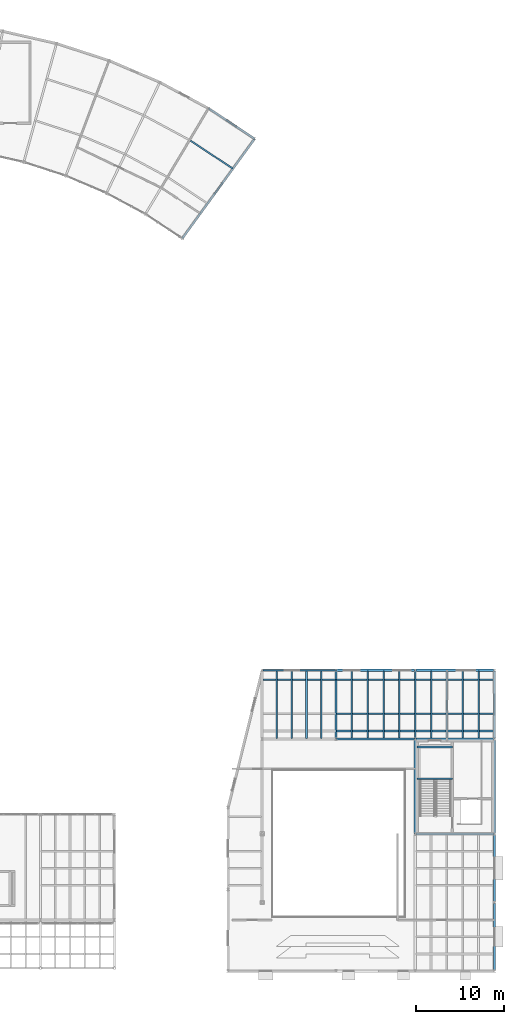
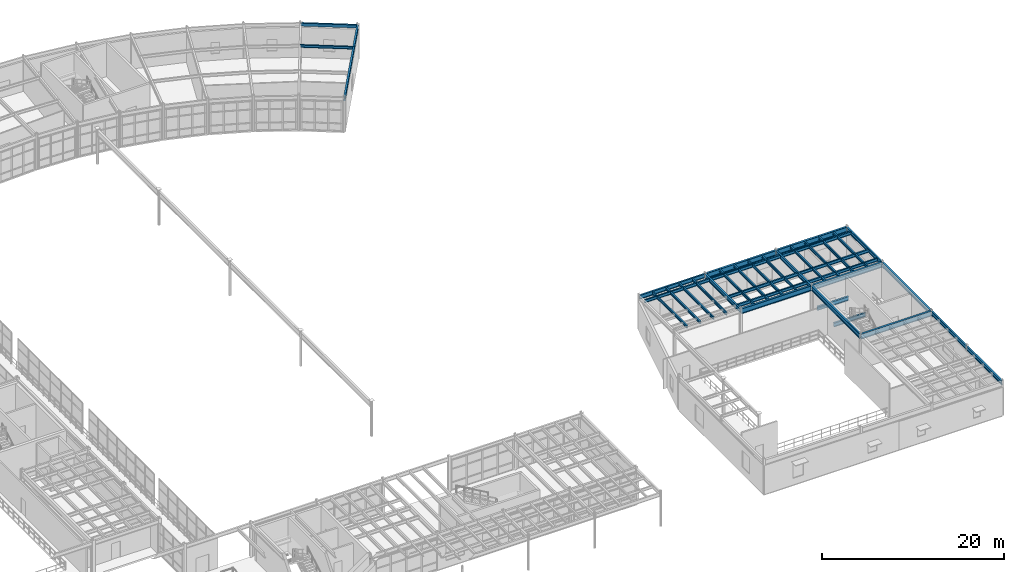
# One storey, part 79 of 116: 37 beams.
"""IFC4 building model written with IfcOpenShell, lengths in metres."""

import ifcopenshell
import ifcopenshell.guid

model = None  # the IFC model being written
_history = None  # IfcOwnerHistory: only IFC2X3 demands one
_inside = {}  # id of a spatial element -> (the spatial element, [elements in it])
_under = {}  # id of a project, library or spatial element -> (it, [spatial elements below it])
_declared = {}  # id of a project -> (the project, [libraries it declares])
_typed = {}  # id of a type object -> (the type object, [elements of that type])
_made_of = {}  # id of a material, layer set ... -> (it, [elements and type objects made of it])


def new_model(schema):
    """Start an empty IFC model of exactly this schema.

    Asked for "IFC4X3", IfcOpenShell would pick the latest addendum, in which some entities
    have other attributes; the version numbers below select the first issue.
    IFC2X3 requires an IfcOwnerHistory on every rooted entity: one is made here for all.
    """
    global model, _history
    if schema == "IFC4X3":
        model = ifcopenshell.file(schema_version=(4, 3, 0, 0))
    else:
        model = ifcopenshell.file(schema=schema)
    _inside.clear()
    _under.clear()
    _declared.clear()
    _typed.clear()
    _made_of.clear()
    _history = None
    if model.schema == "IFC2X3":
        org = make("IfcOrganization", Name="unknown")
        user = make(
            "IfcPersonAndOrganization",
            ThePerson=make("IfcPerson", FamilyName="unknown"),
            TheOrganization=org,
        )
        app = make(
            "IfcApplication",
            ApplicationDeveloper=org,
            Version="unknown",
            ApplicationFullName="unknown",
            ApplicationIdentifier="unknown",
        )
        _history = make(
            "IfcOwnerHistory",
            OwningUser=user,
            OwningApplication=app,
            ChangeAction="ADDED",
            CreationDate=0,
        )
    return model


def make(cls, **values):
    """One entity of the class cls with the attributes given. An attribute that is None is left unset."""
    return model.create_entity(
        cls, **{name: value for name, value in values.items() if value is not None}
    )


def rooted(cls, **values):
    """An entity with a GlobalId (a new one), such as an element, a storey or a relation."""
    return make(cls, GlobalId=ifcopenshell.guid.new(), OwnerHistory=_history, **values)


def si_unit(unit_type, name, prefix=None):
    """IfcSIUnit, for example si_unit("LENGTHUNIT", "METRE", prefix="MILLI")."""
    return make("IfcSIUnit", UnitType=unit_type, Prefix=prefix, Name=name)


def assignment(units):
    """IfcUnitAssignment: the units of a project."""
    return None if units is None else make("IfcUnitAssignment", Units=units)


def point(xyz):
    """IfcCartesianPoint."""
    return None if xyz is None else make("IfcCartesianPoint", Coordinates=xyz)


def direction(xyz):
    """IfcDirection."""
    return None if xyz is None else make("IfcDirection", DirectionRatios=xyz)


def frame(location, z_axis=None, x_axis=None):
    """IfcAxis2Placement3D, a coordinate frame: its origin and axes. An axis left out is left unset."""
    return make(
        "IfcAxis2Placement3D",
        Location=point(location),
        Axis=direction(z_axis),
        RefDirection=direction(x_axis),
    )


def frame_2d(location, x_axis=None):
    """IfcAxis2Placement2D, a coordinate frame in the plane: its origin and x axis."""
    return make(
        "IfcAxis2Placement2D", Location=point(location), RefDirection=direction(x_axis)
    )


def origin():
    """The frame at (0, 0, 0) with its axes left unset."""
    return frame((0.0, 0.0, 0.0))


def origin_2d():
    """The frame at (0, 0) in the plane with its x axis left unset."""
    return frame_2d((0.0, 0.0))


def place(relative_to, where):
    """IfcLocalPlacement: puts the frame where relative to a parent placement (None: the world)."""
    return make(
        "IfcLocalPlacement", PlacementRelTo=relative_to, RelativePlacement=where
    )


def context(
    kind, dimensions, precision=None, world=None, true_north=None, identifier=None
):
    """IfcGeometricRepresentationContext, for example the 3D "Model" context."""
    return make(
        "IfcGeometricRepresentationContext",
        ContextIdentifier=identifier,
        ContextType=kind,
        CoordinateSpaceDimension=dimensions,
        Precision=precision,
        WorldCoordinateSystem=world,
        TrueNorth=true_north,
    )


def subcontext(parent, identifier, kind, view, scale=None):
    """IfcGeometricRepresentationSubContext, for example "Body" below "Model"."""
    return make(
        "IfcGeometricRepresentationSubContext",
        ContextIdentifier=identifier,
        ContextType=kind,
        ParentContext=parent,
        TargetScale=scale,
        TargetView=view,
    )


def project(units=None, contexts=None):
    """IfcProject with its units and contexts."""
    return rooted(
        "IfcProject",
        Name="project",
        RepresentationContexts=contexts,
        UnitsInContext=assignment(units),
    )


def spatial(cls, under=None, at=None, **own):
    """A site, building, storey or space (cls), placed at a placement, below another one or the project."""
    s = rooted(cls, ObjectPlacement=at, **own)
    if under is not None:
        _under.setdefault(under.id(), (under, []))[1].append(s)
    return s


def profile(cls, at=None, kind="AREA", **sizes):
    """A parametric profile (cls). Its sizes go by their IFC names, for example OverallWidth=200.0."""
    return make(cls, ProfileType=kind, Position=at, **sizes)


def hollow_rectangle(**sizes):
    """IfcRectangleHollowProfileDef."""
    return profile("IfcRectangleHollowProfileDef", **sizes)


def i_section(**sizes):
    """IfcIShapeProfileDef."""
    return profile("IfcIShapeProfileDef", **sizes)


def extrude(swept, where, along, depth):
    """IfcExtrudedAreaSolid: the profile swept, set in the frame where, extruded along a direction by depth."""
    return make(
        "IfcExtrudedAreaSolid",
        SweptArea=swept,
        Position=where,
        ExtrudedDirection=direction(along),
        Depth=depth,
    )


def shape(context_of_items, identifier, shape_type, items):
    """IfcShapeRepresentation: the items that make up one representation, for example the "Body"."""
    return make(
        "IfcShapeRepresentation",
        ContextOfItems=context_of_items,
        RepresentationIdentifier=identifier,
        RepresentationType=shape_type,
        Items=items,
    )


def material(Name=None, Category=None):
    """IfcMaterial."""
    return make("IfcMaterial", Name=Name, Category=Category)


def material_profile(
    of_material, cross_section, Name=None, Category=None, Priority=None
):
    """IfcMaterialProfile: a cross section and its material."""
    return make(
        "IfcMaterialProfile",
        Name=Name,
        Material=of_material,
        Profile=cross_section,
        Priority=Priority,
        Category=Category,
    )


def profile_set(profiles, Name=None, composite=None):
    """IfcMaterialProfileSet."""
    return make(
        "IfcMaterialProfileSet",
        Name=Name,
        MaterialProfiles=profiles,
        CompositeProfile=composite,
    )


def made_of(thing, what):
    """Note that an element or type object is made of a material, layer set ...; save() writes the relation."""
    if what is not None:
        _made_of.setdefault(what.id(), (what, []))[1].append(thing)
    return thing


def type_object(cls, material=None, **own):
    """A type object (cls), such as IfcWallType, which elements share."""
    return made_of(rooted(cls, **own), material)


def element(
    cls,
    number,
    at=None,
    inside=None,
    cuts=None,
    type_object=None,
    material=None,
    context=None,
    identifier="Body",
    shape_type=None,
    held_by="IfcProductDefinitionShape",
    body=None,
    shapes=None,
    **own,
):
    """One element of the class cls, such as IfcWall. Its Tag is "e" and its number.

    at: its placement. inside: the storey or other place that contains it. cuts: it is an
    opening in that element (IfcRelVoidsElement). A single representation is given by context,
    identifier, shape_type and body (its items); several are given by shapes. held_by: the class
    of the entity that holds the representations. save() writes the other relations.
    """
    e = rooted(cls, Tag="e%d" % number, ObjectPlacement=at, **own)
    if body is not None:
        shapes = [shape(context, identifier, shape_type, body)]
    if shapes is not None:
        e.Representation = make(held_by, Representations=shapes)
    if inside is not None:
        _inside.setdefault(inside.id(), (inside, []))[1].append(e)
    if cuts is not None:
        rooted(
            "IfcRelVoidsElement", RelatingBuildingElement=cuts, RelatedOpeningElement=e
        )
    if type_object is not None:
        _typed.setdefault(type_object.id(), (type_object, []))[1].append(e)
    return made_of(e, material)


def aggregate(whole, parts):
    """IfcRelAggregates: a whole, such as a stair, and the parts it consists of."""
    return rooted("IfcRelAggregates", RelatingObject=whole, RelatedObjects=parts)


def save(model, path):
    """Write the relations noted so far, then the file.

    IfcRelAggregates (storeys below a building ...), IfcRelContainedInSpatialStructure (elements
    in a storey), IfcRelDefinesByType, IfcRelAssociatesMaterial and IfcRelDeclares: one each for
    every whole, place, type object, material and project.
    """
    for whole, parts in _under.values():
        aggregate(whole, parts)
    for where, things in _inside.values():
        rooted(
            "IfcRelContainedInSpatialStructure",
            RelatedElements=things,
            RelatingStructure=where,
        )
    for kind, things in _typed.values():
        rooted("IfcRelDefinesByType", RelatedObjects=things, RelatingType=kind)
    for what, things in _made_of.values():
        rooted("IfcRelAssociatesMaterial", RelatedObjects=things, RelatingMaterial=what)
    for by, libraries in _declared.values():
        rooted("IfcRelDeclares", RelatingContext=by, RelatedDefinitions=libraries)
    model.write(path)


model = new_model("IFC4")

# Units and contexts
model_context = context("Model", 3, precision=1e-05, world=origin(), true_north=direction((0.0, 1.0)))
body_context = subcontext(model_context, "Body", "Model", "MODEL_VIEW")
ifc_project = project(units=[si_unit("LENGTHUNIT", "METRE"), si_unit("AREAUNIT", "SQUARE_METRE"), si_unit("VOLUMEUNIT", "CUBIC_METRE"), si_unit("PLANEANGLEUNIT", "RADIAN"), si_unit("MASSUNIT", "GRAM", prefix="KILO")], contexts=[model_context])

# Site, building, storey
site_placement = place(None, origin())
site = spatial("IfcSite", under=ifc_project, at=site_placement, CompositionType="ELEMENT")
building_placement = place(site_placement, origin())
building = spatial("IfcBuilding", under=site, at=building_placement, Name="Selat Folded Stagehouse", CompositionType="ELEMENT")
storey_placement = place(building_placement, frame((0.0, 0.0, 5.39990234375)))
storey = spatial("IfcBuildingStorey", under=building, at=storey_placement, Name="L01", CompositionType="ELEMENT", Elevation=5.39990234375)

# Beams
ifc_material = material(Name="Steel S355", Category="steel")
ifc_material_profile_1 = material_profile(ifc_material, i_section(OverallWidth=0.210693359375, OverallDepth=0.53955078125, WebThickness=0.01171875, FlangeThickness=0.018798828125, FilletRadius=0.0126953125, at=origin_2d()), Name="UKB 533x210x109")
ifc_profile_set_1 = profile_set([ifc_material_profile_1], Name="Steel S355")
beam_type_1 = type_object("IfcBeamType", Name="BM-GIRD-533x210x109", PredefinedType="BEAM", material=ifc_profile_set_1)
for number, where, z_axis, x_axis, name in (
    (1, (142.800048828125, 26.466796875, 4.310302734375), (0.0, 1.0, 0.0), (-1.0, 0.0, 0.0), "L01 primary y-girder 0846"),
    (2, (151.800048828125, 26.466796875, 4.310302734375), (0.0, 1.0, 0.0), (-1.0, 0.0, 0.0), "L01 primary y-girder 0849"),
):
    element("IfcBeam", number, at=place(storey_placement, frame(where, z_axis=z_axis, x_axis=x_axis)), inside=storey, type_object=beam_type_1, Name=name, PredefinedType="BEAM", context=body_context, shape_type="SweptSolid", body=[
        extrude(i_section(OverallWidth=0.210693359375, OverallDepth=0.53955078125, WebThickness=0.01171875, FlangeThickness=0.018798828125, FilletRadius=0.0126953125, at=origin_2d()), origin(), (0.0, 0.0, 1.0), 7.66650390625),
    ])
beam_1_placement = place(storey_placement, frame((160.800048828125, 0.066650390625, 4.310302734375), z_axis=(0.0, 1.0, 0.0), x_axis=(-1.0, 0.0, 0.0)))
element("IfcBeam", 3, at=beam_1_placement, inside=storey, type_object=beam_type_1, Name="L01 primary y-girder 0850", PredefinedType="BEAM", context=body_context, shape_type="SweptSolid", body=[
    extrude(i_section(OverallWidth=0.210693359375, OverallDepth=0.53955078125, WebThickness=0.01171875, FlangeThickness=0.018798828125, FilletRadius=0.0126953125, at=origin_2d()), origin(), (0.0, 0.0, 1.0), 7.666748046875),
])
for number, where, z_axis, x_axis, name in (
    (4, (160.800048828125, 7.86669921875, 4.310302734375), (0.0, 1.0, 0.0), (-1.0, 0.0, 0.0), "L01 primary y-girder 0851"),
    (5, (160.800048828125, 26.466796875, 4.310302734375), (0.0, 1.0, 0.0), (-1.0, 0.0, 0.0), "L01 primary y-girder 0853"),
):
    element("IfcBeam", number, at=place(storey_placement, frame(where, z_axis=z_axis, x_axis=x_axis)), inside=storey, type_object=beam_type_1, Name=name, PredefinedType="BEAM", context=body_context, shape_type="SweptSolid", body=[
        extrude(i_section(OverallWidth=0.210693359375, OverallDepth=0.53955078125, WebThickness=0.01171875, FlangeThickness=0.018798828125, FilletRadius=0.0126953125, at=origin_2d()), origin(), (0.0, 0.0, 1.0), 7.66650390625),
    ])
ifc_material_profile_2 = material_profile(ifc_material, i_section(OverallWidth=0.209228515625, OverallDepth=0.533203125, WebThickness=0.010009765625, FlangeThickness=0.015625, FilletRadius=0.0126953125, at=origin_2d()), Name="UKB 533x210x92")
ifc_profile_set_2 = profile_set([ifc_material_profile_2], Name="Steel S355")
beam_type_2 = type_object("IfcBeamType", Name="BM-GIRD-533x210x92", PredefinedType="BEAM", material=ifc_profile_set_2)
beam_2_placement = place(storey_placement, frame((134.466796875, 34.199951171875, 4.3134765625), z_axis=(1.0, 0.0, 0.0), x_axis=(0.0, 1.0, 0.0)))
element("IfcBeam", 6, at=beam_2_placement, inside=storey, type_object=beam_type_2, Name="L01 primary x-girder 0785", PredefinedType="BEAM", context=body_context, shape_type="SweptSolid", body=[
    extrude(i_section(OverallWidth=0.209228515625, OverallDepth=0.533203125, WebThickness=0.010009765625, FlangeThickness=0.015625, FilletRadius=0.0126953125, at=origin_2d()), origin(), (0.0, 0.0, 1.0), 8.2666015625),
])
beam_3_placement = place(storey_placement, frame((125.31591796875, 83.304931640625, 4.303466796875), z_axis=(0.587787980643, 0.809015012105, 0.0), x_axis=(-0.809015012105, 0.587787980643, 0.0)))
element("IfcBeam", 7, at=beam_3_placement, inside=storey, type_object=beam_type_2, Name="L01 curved rehearsal radial girder 15", PredefinedType="BEAM", context=body_context, shape_type="SweptSolid", body=[
    extrude(i_section(OverallWidth=0.209228515625, OverallDepth=0.533203125, WebThickness=0.010009765625, FlangeThickness=0.015625, FilletRadius=0.0126953125, at=origin_2d()), origin(), (0.0, 0.0, 1.0), 14.0),
])
for number, where, z_axis, x_axis, name in (
    (8, (152.0, 21.8701171875, 1.93359375), (1.0, 0.0, 0.0), (0.0, 1.0, 0.0), "L01 ST-04 landing support beam 1"),
    (9, (152.0, 25.5, 1.93359375), (1.0, 0.0, 0.0), (0.0, 1.0, 0.0), "L01 ST-04 landing support beam 2"),
):
    element("IfcBeam", number, at=place(storey_placement, frame(where, z_axis=z_axis, x_axis=x_axis)), inside=storey, type_object=beam_type_2, Name=name, PredefinedType="BEAM", context=body_context, shape_type="SweptSolid", body=[
        extrude(i_section(OverallWidth=0.209228515625, OverallDepth=0.533203125, WebThickness=0.010009765625, FlangeThickness=0.015625, FilletRadius=0.0126953125, at=origin_2d()), origin(), (0.0, 0.0, 1.0), 4.02001953125),
    ])
ifc_material_profile_3 = material_profile(ifc_material, i_section(OverallWidth=0.230224609375, OverallDepth=0.6171875, WebThickness=0.01318359375, FlangeThickness=0.022216796875, FilletRadius=0.0126953125, at=origin_2d()), Name="UKB 610x229x140")
ifc_profile_set_3 = profile_set([ifc_material_profile_3], Name="Steel S355")
beam_type_3 = type_object("IfcBeamType", Name="BM-GIRD-610x229x140", PredefinedType="BEAM", material=ifc_profile_set_3)
for number, where, z_axis, x_axis, name in (
    (10, (151.800048828125, 15.666748046875, 4.271484375), (0.0, 1.0, 0.0), (-1.0, 0.0, 0.0), "L01 primary y-girder 0848"),
    (11, (160.800048828125, 15.666748046875, 4.271484375), (0.0, 1.0, 0.0), (-1.0, 0.0, 0.0), "L01 primary y-girder 0852"),
):
    element("IfcBeam", number, at=place(storey_placement, frame(where, z_axis=z_axis, x_axis=x_axis)), inside=storey, type_object=beam_type_3, Name=name, PredefinedType="BEAM", context=body_context, shape_type="SweptSolid", body=[
        extrude(i_section(OverallWidth=0.230224609375, OverallDepth=0.6171875, WebThickness=0.01318359375, FlangeThickness=0.022216796875, FilletRadius=0.0126953125, at=origin_2d()), origin(), (0.0, 0.0, 1.0), 10.66650390625),
    ])
ifc_material_profile_4 = material_profile(ifc_material, i_section(OverallWidth=0.253662109375, OverallDepth=0.68359375, WebThickness=0.012451171875, FlangeThickness=0.01904296875, FilletRadius=0.01513671875, at=origin_2d()), Name="UKB 686x254x140")
ifc_profile_set_4 = profile_set([ifc_material_profile_4], Name="Steel S355")
beam_type_4 = type_object("IfcBeamType", Name="BM-GIRD-686x254x140", PredefinedType="BEAM", material=ifc_profile_set_4)
for number, where, z_axis, x_axis, name in (
    (12, (151.86669921875, 15.60009765625, 4.23828125), (1.0, 0.0, 0.0), (0.0, 1.0, 0.0), "L01 primary x-girder 0766"),
    (13, (142.86669921875, 26.39990234375, 4.23828125), (1.0, 0.0, 0.0), (0.0, 1.0, 0.0), "L01 primary x-girder 0783"),
    (14, (151.86669921875, 26.39990234375, 4.23828125), (1.0, 0.0, 0.0), (0.0, 1.0, 0.0), "L01 primary x-girder 0784"),
    (15, (142.86669921875, 34.199951171875, 4.23828125), (1.0, 0.0, 0.0), (0.0, 1.0, 0.0), "L01 primary x-girder 0786"),
    (16, (151.86669921875, 34.199951171875, 4.23828125), (1.0, 0.0, 0.0), (0.0, 1.0, 0.0), "L01 primary x-girder 0787"),
):
    element("IfcBeam", number, at=place(storey_placement, frame(where, z_axis=z_axis, x_axis=x_axis)), inside=storey, type_object=beam_type_4, Name=name, PredefinedType="BEAM", context=body_context, shape_type="SweptSolid", body=[
        extrude(i_section(OverallWidth=0.253662109375, OverallDepth=0.68359375, WebThickness=0.012451171875, FlangeThickness=0.01904296875, FilletRadius=0.01513671875, at=origin_2d()), origin(), (0.0, 0.0, 1.0), 8.86669921875),
    ])
ifc_material_profile_5 = material_profile(ifc_material, i_section(OverallWidth=0.17138671875, OverallDepth=0.35498046875, WebThickness=0.00732421875, FlangeThickness=0.011474609375, FilletRadius=0.01025390625, at=origin_2d()), Name="UKB 356x171x51")
ifc_profile_set_5 = profile_set([ifc_material_profile_5], Name="Steel S355")
beam_type_5 = type_object("IfcBeamType", Name="JST-356x171x51", PredefinedType="JOIST", material=ifc_profile_set_5)
for number, where, z_axis, x_axis, name in (
    (17, (136.080078125, 26.473388671875, 4.402587890625), (0.0, 1.0, 0.0), (-1.0, 0.0, 0.0), "L01 secondary floor joist 0910"),
    (18, (137.760009765625, 26.473388671875, 4.402587890625), (0.0, 1.0, 0.0), (-1.0, 0.0, 0.0), "L01 secondary floor joist 0911"),
    (19, (139.43994140625, 26.473388671875, 4.402587890625), (0.0, 1.0, 0.0), (-1.0, 0.0, 0.0), "L01 secondary floor joist 0912"),
    (20, (141.1201171875, 26.473388671875, 4.402587890625), (0.0, 1.0, 0.0), (-1.0, 0.0, 0.0), "L01 secondary floor joist 0913"),
):
    element("IfcBeam", number, at=place(storey_placement, frame(where, z_axis=z_axis, x_axis=x_axis)), inside=storey, type_object=beam_type_5, Name=name, PredefinedType="JOIST", context=body_context, shape_type="SweptSolid", body=[
        extrude(i_section(OverallWidth=0.17138671875, OverallDepth=0.35498046875, WebThickness=0.00732421875, FlangeThickness=0.011474609375, FilletRadius=0.01025390625, at=origin_2d()), origin(), (0.0, 0.0, 1.0), 7.6533203125),
    ])
for number, where, z_axis, x_axis, name in (
    (21, (144.60009765625, 26.48876953125, 4.402587890625), (0.0, 1.0, 0.0), (-1.0, 0.0, 0.0), "L01 secondary floor joist 0914"),
    (22, (146.39990234375, 26.48876953125, 4.402587890625), (0.0, 1.0, 0.0), (-1.0, 0.0, 0.0), "L01 secondary floor joist 0915"),
    (23, (148.199951171875, 26.48876953125, 4.402587890625), (0.0, 1.0, 0.0), (-1.0, 0.0, 0.0), "L01 secondary floor joist 0916"),
    (24, (150.0, 26.48876953125, 4.402587890625), (0.0, 1.0, 0.0), (-1.0, 0.0, 0.0), "L01 secondary floor joist 0917"),
    (25, (153.60009765625, 26.48876953125, 4.402587890625), (0.0, 1.0, 0.0), (-1.0, 0.0, 0.0), "L01 secondary floor joist 0919"),
    (26, (155.39990234375, 26.48876953125, 4.402587890625), (0.0, 1.0, 0.0), (-1.0, 0.0, 0.0), "L01 secondary floor joist 0921"),
    (27, (157.199951171875, 26.48876953125, 4.402587890625), (0.0, 1.0, 0.0), (-1.0, 0.0, 0.0), "L01 secondary floor joist 0923"),
    (28, (159.0, 26.48876953125, 4.402587890625), (0.0, 1.0, 0.0), (-1.0, 0.0, 0.0), "L01 secondary floor joist 0925"),
):
    element("IfcBeam", number, at=place(storey_placement, frame(where, z_axis=z_axis, x_axis=x_axis)), inside=storey, type_object=beam_type_5, Name=name, PredefinedType="JOIST", context=body_context, shape_type="SweptSolid", body=[
        extrude(i_section(OverallWidth=0.17138671875, OverallDepth=0.35498046875, WebThickness=0.00732421875, FlangeThickness=0.011474609375, FilletRadius=0.01025390625, at=origin_2d()), origin(), (0.0, 0.0, 1.0), 7.622314453125),
    ])
beam_4_placement = place(storey_placement, frame((126.148681640625, 94.48583984375, 4.392578125), z_axis=(0.834598760834, -0.550858337883, 0.0), x_axis=(0.550858337883, 0.834598760834, 0.0)))
element("IfcBeam", 29, at=beam_4_placement, inside=storey, type_object=beam_type_5, Name="L01 curved rehearsal secondary joist 14.2", PredefinedType="JOIST", context=body_context, shape_type="SweptSolid", body=[
    extrude(i_section(OverallWidth=0.17138671875, OverallDepth=0.35498046875, WebThickness=0.00732421875, FlangeThickness=0.011474609375, FilletRadius=0.01025390625, at=origin_2d()), origin(), (0.0, 0.0, 1.0), 5.904296875),
])
ifc_material_profile_6 = material_profile(ifc_material, i_section(OverallWidth=0.177978515625, OverallDepth=0.406494140625, WebThickness=0.0078125, FlangeThickness=0.0126953125, FilletRadius=0.01025390625, at=origin_2d()), Name="UKB 406x178x60")
ifc_profile_set_6 = profile_set([ifc_material_profile_6], Name="Steel S355")
beam_type_6 = type_object("IfcBeamType", Name="JST-406x178x60", PredefinedType="JOIST", material=ifc_profile_set_6)
for number, where, z_axis, x_axis, name in (
    (30, (142.873779296875, 27.300048828125, 4.376953125), (1.0, 0.0, 0.0), (0.0, 1.0, 0.0), "L01 secondary x-joist 0954"),
    (31, (151.873779296875, 27.300048828125, 4.376953125), (1.0, 0.0, 0.0), (0.0, 1.0, 0.0), "L01 secondary x-joist 0955"),
    (32, (142.873779296875, 29.25, 4.376953125), (1.0, 0.0, 0.0), (0.0, 1.0, 0.0), "L01 secondary x-joist 0958"),
    (33, (151.873779296875, 29.25, 4.376953125), (1.0, 0.0, 0.0), (0.0, 1.0, 0.0), "L01 secondary x-joist 0959"),
):
    element("IfcBeam", number, at=place(storey_placement, frame(where, z_axis=z_axis, x_axis=x_axis)), inside=storey, type_object=beam_type_6, Name=name, PredefinedType="JOIST", context=body_context, shape_type="SweptSolid", body=[
        extrude(i_section(OverallWidth=0.177978515625, OverallDepth=0.406494140625, WebThickness=0.0078125, FlangeThickness=0.0126953125, FilletRadius=0.01025390625, at=origin_2d()), origin(), (0.0, 0.0, 1.0), 8.8525390625),
    ])
beam_5_placement = place(storey_placement, frame((134.473876953125, 33.14990234375, 4.376953125), z_axis=(1.0, 0.0, 0.0), x_axis=(0.0, 1.0, 0.0)))
element("IfcBeam", 34, at=beam_5_placement, inside=storey, type_object=beam_type_6, Name="L01 secondary x-joist 0961", PredefinedType="JOIST", context=body_context, shape_type="SweptSolid", body=[
    extrude(i_section(OverallWidth=0.177978515625, OverallDepth=0.406494140625, WebThickness=0.0078125, FlangeThickness=0.0126953125, FilletRadius=0.01025390625, at=origin_2d()), origin(), (0.0, 0.0, 1.0), 8.25244140625),
])
for number, where, z_axis, x_axis, name in (
    (35, (142.873779296875, 33.14990234375, 4.376953125), (1.0, 0.0, 0.0), (0.0, 1.0, 0.0), "L01 secondary x-joist 0962"),
    (36, (151.873779296875, 33.14990234375, 4.376953125), (1.0, 0.0, 0.0), (0.0, 1.0, 0.0), "L01 secondary x-joist 0963"),
):
    element("IfcBeam", number, at=place(storey_placement, frame(where, z_axis=z_axis, x_axis=x_axis)), inside=storey, type_object=beam_type_6, Name=name, PredefinedType="JOIST", context=body_context, shape_type="SweptSolid", body=[
        extrude(i_section(OverallWidth=0.177978515625, OverallDepth=0.406494140625, WebThickness=0.0078125, FlangeThickness=0.0126953125, FilletRadius=0.01025390625, at=origin_2d()), origin(), (0.0, 0.0, 1.0), 8.8525390625),
    ])
ifc_material_profile_7 = material_profile(ifc_material, hollow_rectangle(XDim=0.199951171875, YDim=0.39990234375, WallThickness=0.012451171875, at=origin_2d()), Name="RHS 400x200x12.5")
ifc_profile_set_7 = profile_set([ifc_material_profile_7], Name="Steel S355")
beam_type_7 = type_object("IfcBeamType", Name="SPD-EXT-400x200", PredefinedType="SPANDREL", material=ifc_profile_set_7)
beam_6_placement = place(storey_placement, frame((128.302978515625, 98.09130859375, 4.3701171875), z_axis=(0.834571163011, -0.550900148729, 0.0), x_axis=(0.550900148729, 0.834571163011, 0.0)))
element("IfcBeam", 37, at=beam_6_placement, inside=storey, type_object=beam_type_7, Name="L01 outer curved rehearsal spandrel 14", PredefinedType="SPANDREL", context=body_context, shape_type="SweptSolid", body=[
    extrude(hollow_rectangle(XDim=0.199951171875, YDim=0.39990234375, WallThickness=0.012451171875, at=origin_2d()), origin(), (0.0, 0.0, 1.0), 6.281005859375),
])

save(model, "model.ifc")
